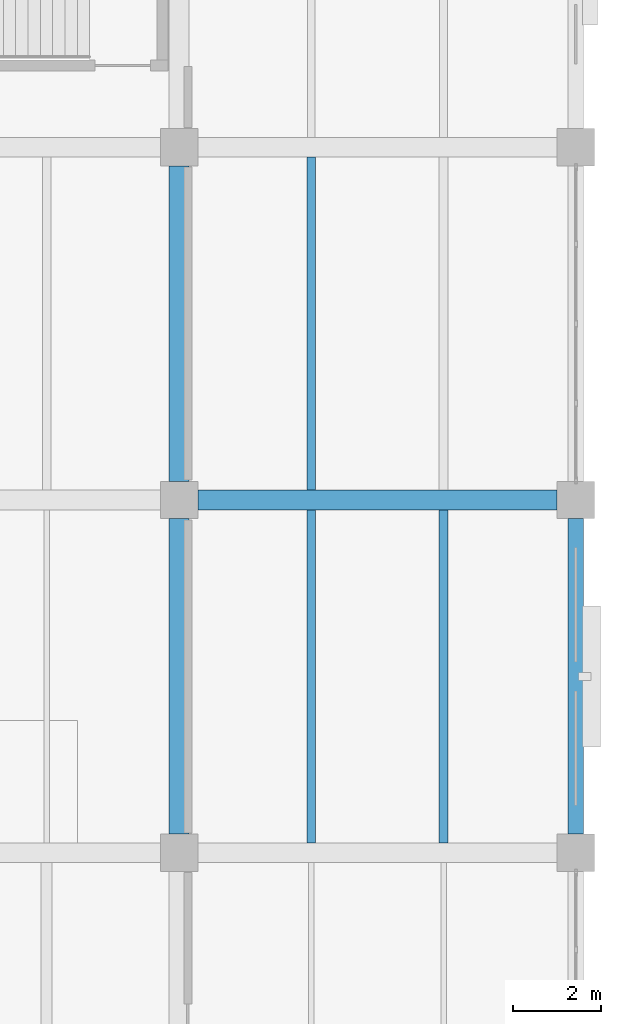
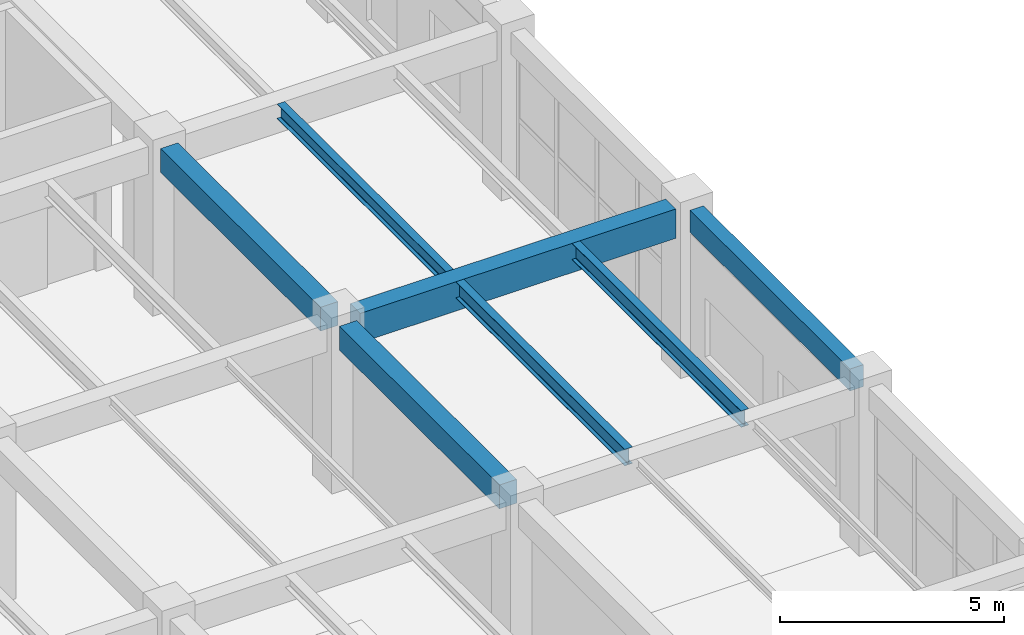
# One storey, part 131 of 178: 7 beams.
"""IFC4 building model written with IfcOpenShell, lengths in metres."""

from ifc_helpers import new_model, si_unit, derived_unit, direction, frame, origin, origin_2d, place, context, subcontext, project, spatial, rectangle, i_section, extrude, material, material_profile, profile_set, type_object, element, save


model = new_model("IFC4")

# Units and contexts
model_context = context("Model", 3, precision=1e-05, world=origin(), true_north=direction((0.0, 1.0)))
body_context = subcontext(model_context, "Body", "Model", "MODEL_VIEW")
ifc_project = project(units=[si_unit("LENGTHUNIT", "METRE"), si_unit("AREAUNIT", "SQUARE_METRE"), si_unit("VOLUMEUNIT", "CUBIC_METRE"), si_unit("PLANEANGLEUNIT", "RADIAN"), si_unit("MASSUNIT", "GRAM", prefix="KILO"), derived_unit("THERMALTRANSMITTANCEUNIT", [(si_unit("MASSUNIT", "GRAM", prefix="KILO"), 1), (si_unit("TIMEUNIT", "SECOND"), -3), (si_unit("THERMODYNAMICTEMPERATUREUNIT", "KELVIN"), -1)])], contexts=[model_context])

# Site, building, storey
site_placement = place(None, origin())
site = spatial("IfcSite", under=ifc_project, at=site_placement, CompositionType="ELEMENT")
building_placement = place(site_placement, origin())
building = spatial("IfcBuilding", under=site, at=building_placement, Name="Zhenchuan Archway Interchange", CompositionType="ELEMENT")
storey_placement = place(building_placement, frame((0.0, 0.0, 5.39990234375)))
storey = spatial("IfcBuildingStorey", under=building, at=storey_placement, Name="L01", CompositionType="ELEMENT", Elevation=5.39990234375)

# Beams
ifc_material_1 = material(Name="Concrete C40", Category="concrete")
ifc_material_profile_1 = material_profile(ifc_material_1, rectangle(XDim=0.449951171875, YDim=0.64990234375, at=origin_2d()), Name="RC 450x650")
ifc_profile_set_1 = profile_set([ifc_material_profile_1], Name="Concrete C40")
beam_type_1 = type_object("IfcBeamType", Name="BM_RC_450x650", PredefinedType="BEAM", material=ifc_profile_set_1)
for number, where, z_axis, x_axis, name in (
    (1, (162.0, 72.425048828125, 4.18505859375), (0.0, 1.0, 0.0), (-1.0, 0.0, 0.0), "Beam 19:K-L (L01)"),
    (2, (162.0, 80.425048828125, 4.18505859375), (0.0, 1.0, 0.0), (-1.0, 0.0, 0.0), "Beam 19:L-M (L01)"),
):
    element("IfcBeam", number, at=place(storey_placement, frame(where, z_axis=z_axis, x_axis=x_axis)), inside=storey, type_object=beam_type_1, Name=name, PredefinedType="BEAM", context=body_context, shape_type="SweptSolid", body=[
        extrude(rectangle(XDim=0.449951171875, YDim=0.64990234375, at=origin_2d()), origin(), (0.0, 0.0, 1.0), 7.14990234375),
    ])
ifc_material_profile_2 = material_profile(ifc_material_1, rectangle(XDim=0.449951171875, YDim=0.800048828125, at=origin_2d()), Name="RC 450x800")
ifc_profile_set_2 = profile_set([ifc_material_profile_2], Name="Concrete C40")
beam_type_2 = type_object("IfcBeamType", Name="BM_RC_450x800", PredefinedType="BEAM", material=ifc_profile_set_2)
beam_1_placement = place(storey_placement, frame((162.425048828125, 80.0, 4.110107421875), z_axis=(1.0, 0.0, 0.0), x_axis=(0.0, 1.0, 0.0)))
element("IfcBeam", 3, at=beam_1_placement, inside=storey, type_object=beam_type_2, Name="Beam L:19-20 (L01)", PredefinedType="BEAM", context=body_context, shape_type="SweptSolid", body=[
    extrude(rectangle(XDim=0.449951171875, YDim=0.800048828125, at=origin_2d()), origin(), (0.0, 0.0, 1.0), 8.14990234375),
])
ifc_material_2 = material(Name="Steel Q355", Category="steel")
ifc_material_profile_3 = material_profile(ifc_material_2, i_section(OverallWidth=0.199951171875, OverallDepth=0.39990234375, WebThickness=0.008056640625, FlangeThickness=0.012939453125, FilletRadius=0.01611328125, at=origin_2d()), Name="HN 400x200")
ifc_profile_set_3 = profile_set([ifc_material_profile_3], Name="Steel Q355")
beam_type_3 = type_object("IfcBeamType", Name="JST_STL_HN400", PredefinedType="JOIST", material=ifc_profile_set_3)
beam_2_placement = place(storey_placement, frame((165.0, 80.22509765625, 4.31005859375), z_axis=(0.0, 1.0, 0.0), x_axis=(-1.0, 0.0, 0.0)))
element("IfcBeam", 4, at=beam_2_placement, inside=storey, type_object=beam_type_3, Name="Secondary joist 19-20/L-M #1 (L01)", PredefinedType="JOIST", context=body_context, shape_type="SweptSolid", body=[
    extrude(i_section(OverallWidth=0.199951171875, OverallDepth=0.39990234375, WebThickness=0.008056640625, FlangeThickness=0.012939453125, FilletRadius=0.01611328125, at=origin_2d()), origin(), (0.0, 0.0, 1.0), 7.5498046875),
])
ifc_material_profile_4 = material_profile(ifc_material_2, i_section(OverallWidth=0.199951171875, OverallDepth=0.449951171875, WebThickness=0.009033203125, FlangeThickness=0.013916015625, FilletRadius=0.01806640625, at=origin_2d()), Name="HN 450x200")
ifc_profile_set_4 = profile_set([ifc_material_profile_4], Name="Steel Q355")
beam_type_4 = type_object("IfcBeamType", Name="JST_STL_HN450", PredefinedType="JOIST", material=ifc_profile_set_4)
for number, where, z_axis, x_axis, name in (
    (5, (165.0, 72.22509765625, 4.28515625), (0.0, 1.0, 0.0), (-1.0, 0.0, 0.0), "Secondary joist 19-20/K-L #1 (L01)"),
    (6, (168.0, 72.22509765625, 4.28515625), (0.0, 1.0, 0.0), (-1.0, 0.0, 0.0), "Secondary joist 19-20/K-L #2 (L01)"),
):
    element("IfcBeam", number, at=place(storey_placement, frame(where, z_axis=z_axis, x_axis=x_axis)), inside=storey, type_object=beam_type_4, Name=name, PredefinedType="JOIST", context=body_context, shape_type="SweptSolid", body=[
        extrude(i_section(OverallWidth=0.199951171875, OverallDepth=0.449951171875, WebThickness=0.009033203125, FlangeThickness=0.013916015625, FilletRadius=0.01806640625, at=origin_2d()), origin(), (0.0, 0.0, 1.0), 7.5498046875),
    ])
ifc_material_profile_5 = material_profile(ifc_material_1, rectangle(XDim=0.35009765625, YDim=0.60009765625, at=origin_2d()), Name="RC 350x600")
ifc_profile_set_5 = profile_set([ifc_material_profile_5], Name="Concrete C40")
beam_type_5 = type_object("IfcBeamType", Name="SP_RC_350x600", PredefinedType="SPANDREL", material=ifc_profile_set_5)
beam_3_placement = place(storey_placement, frame((171.0, 72.425048828125, 4.210205078125), z_axis=(0.0, 1.0, 0.0), x_axis=(-1.0, 0.0, 0.0)))
element("IfcBeam", 7, at=beam_3_placement, inside=storey, type_object=beam_type_5, Name="Beam 20:K-L (L01)", PredefinedType="SPANDREL", context=body_context, shape_type="SweptSolid", body=[
    extrude(rectangle(XDim=0.35009765625, YDim=0.60009765625, at=origin_2d()), origin(), (0.0, 0.0, 1.0), 7.14990234375),
])

save(model, "model.ifc")
